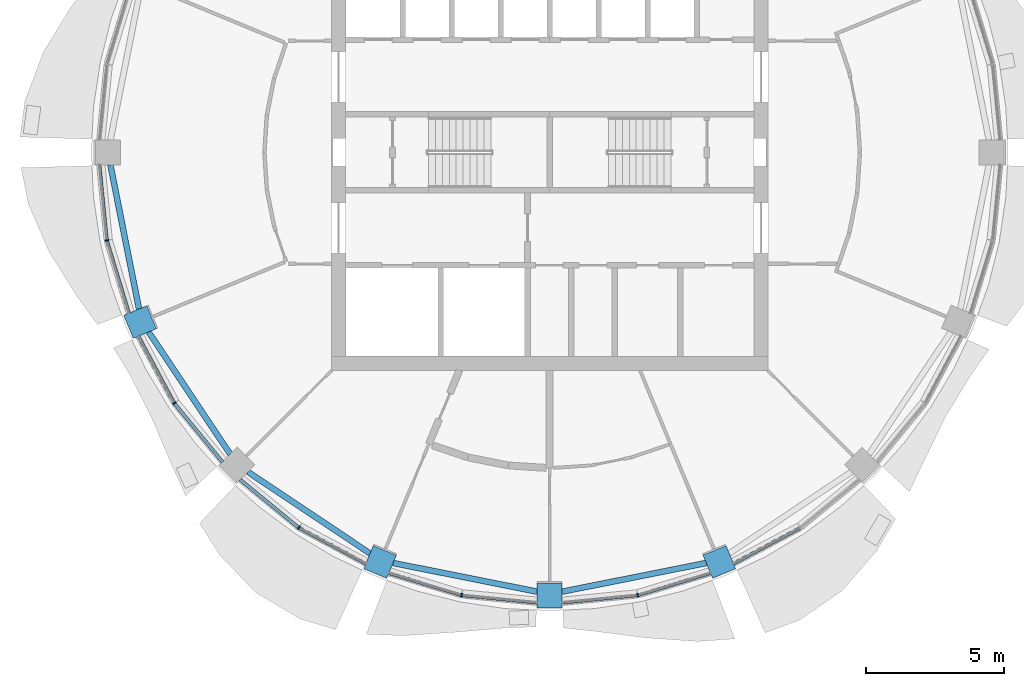
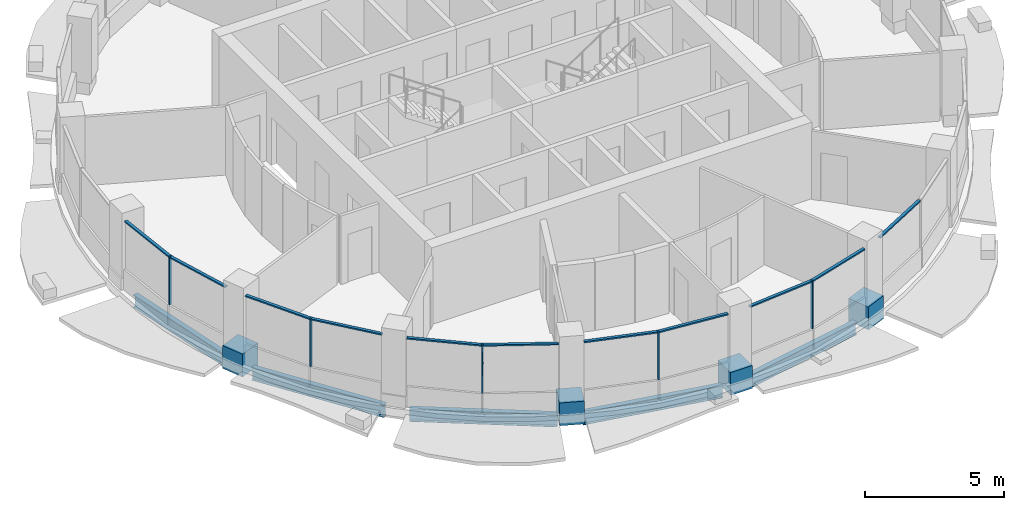
# One storey, part 2 of 15: 20 members, 5 beams, 6 elements without a shape of their own.
"""IFC4 building model written with IfcOpenShell, lengths in metres."""

from ifc_helpers import new_model, si_unit, direction, frame, origin, origin_2d, place, context, subcontext, project, spatial, rectangle, i_section, extrude, material, material_profile, profile_set, type_object, element, aggregate, save


model = new_model("IFC4")

# Units and contexts
model_context = context("Model", 3, precision=1e-05, world=origin(), true_north=direction((0.0, 1.0)))
body_context = subcontext(model_context, "Body", "Model", "MODEL_VIEW")
ifc_project = project(units=[si_unit("LENGTHUNIT", "METRE"), si_unit("AREAUNIT", "SQUARE_METRE"), si_unit("VOLUMEUNIT", "CUBIC_METRE"), si_unit("PLANEANGLEUNIT", "RADIAN"), si_unit("MASSUNIT", "GRAM", prefix="KILO")], contexts=[model_context])

# Site, building, storey
site_placement = place(None, origin())
site = spatial("IfcSite", under=ifc_project, at=site_placement, CompositionType="ELEMENT")
building_placement = place(site_placement, origin())
building = spatial("IfcBuilding", under=site, at=building_placement, Name="Polderwave Tower", CompositionType="ELEMENT")
storey_placement = place(building_placement, frame((0.0, 0.0, 207.75)))
storey = spatial("IfcBuildingStorey", under=building, at=storey_placement, Name="L56", CompositionType="ELEMENT", Elevation=207.75)

# Curtain wall, member
ifc_material_1 = material(Name="Aluminium 6063-T6 and glass", Category="aluminium")
curtain_wall_type = type_object("IfcCurtainWallType", Name="Office ribbon glazing wall", PredefinedType="NOTDEFINED", material=ifc_material_1)
curtain_wall_1_placement = place(storey_placement, origin())
curtain_wall_1 = element("IfcCurtainWall", 1, at=curtain_wall_1_placement, inside=storey, type_object=curtain_wall_type, Name="CW3 L56 08", PredefinedType="NOTDEFINED")
ifc_material_2 = material(Name="Aluminium 6063-T6", Category="aluminium")
ifc_material_profile_1 = material_profile(ifc_material_2, rectangle(XDim=0.139892578125, YDim=0.054931640625, at=origin_2d()), Name="AL 55x140")
ifc_profile_set_1 = profile_set([ifc_material_profile_1], Name="Aluminium 6063-T6")
member_type_1 = type_object("IfcMemberType", Name="Office ribbon glazing mullion 55x140", PredefinedType="MULLION", material=ifc_profile_set_1)
member_1_placement = place(storey_placement, frame((-15.987060546875, -3.179931640625, 0.89990234375), z_axis=(0.0, 0.0, 1.0), x_axis=(0.980756668128, 0.195234110551, 0.0)))
member_1 = element("IfcMember", 2, at=member_1_placement, type_object=member_type_1, Name="CW3 mullion 1", PredefinedType="MULLION", context=body_context, shape_type="SweptSolid", body=[
    extrude(rectangle(XDim=0.139892578125, YDim=0.054931640625, at=origin_2d()), origin(), (0.0, 0.0, 1.0), 2.10009765625),
])

curtain_wall_2_placement = place(storey_placement, origin())
curtain_wall_2 = element("IfcCurtainWall", 3, at=curtain_wall_2_placement, inside=storey, type_object=curtain_wall_type, Name="CW3 L56 09", PredefinedType="NOTDEFINED")
member_2_placement = place(storey_placement, frame((-13.552978515625, -9.055908203125, 0.89990234375), z_axis=(0.0, 0.0, 1.0), x_axis=(0.831455067223, 0.555592000653, 0.0)))
member_2 = element("IfcMember", 4, at=member_2_placement, type_object=member_type_1, Name="CW3 mullion 1", PredefinedType="MULLION", context=body_context, shape_type="SweptSolid", body=[
    extrude(rectangle(XDim=0.139892578125, YDim=0.054931640625, at=origin_2d()), origin(), (0.0, 0.0, 1.0), 2.10009765625),
])

curtain_wall_3_placement = place(storey_placement, origin())
curtain_wall_3 = element("IfcCurtainWall", 5, at=curtain_wall_3_placement, inside=storey, type_object=curtain_wall_type, Name="CW3 L56 10", PredefinedType="NOTDEFINED")
member_3_placement = place(storey_placement, frame((-9.055908203125, -13.552978515625, 0.89990234375), z_axis=(0.0, 0.0, 1.0), x_axis=(0.555592000653, 0.831455067223, 0.0)))
member_3 = element("IfcMember", 6, at=member_3_placement, type_object=member_type_1, Name="CW3 mullion 1", PredefinedType="MULLION", context=body_context, shape_type="SweptSolid", body=[
    extrude(rectangle(XDim=0.139892578125, YDim=0.054931640625, at=origin_2d()), origin(), (0.0, 0.0, 1.0), 2.10009765625),
])

curtain_wall_4_placement = place(storey_placement, origin())
curtain_wall_4 = element("IfcCurtainWall", 7, at=curtain_wall_4_placement, inside=storey, type_object=curtain_wall_type, Name="CW3 L56 11", PredefinedType="NOTDEFINED")
member_4_placement = place(storey_placement, frame((-3.179931640625, -15.987060546875, 0.89990234375), z_axis=(0.0, 0.0, 1.0), x_axis=(0.195234110551, 0.980756668128, 0.0)))
member_4 = element("IfcMember", 8, at=member_4_placement, type_object=member_type_1, Name="CW3 mullion 1", PredefinedType="MULLION", context=body_context, shape_type="SweptSolid", body=[
    extrude(rectangle(XDim=0.139892578125, YDim=0.054931640625, at=origin_2d()), origin(), (0.0, 0.0, 1.0), 2.10009765625),
])

curtain_wall_5_placement = place(storey_placement, origin())
curtain_wall_5 = element("IfcCurtainWall", 9, at=curtain_wall_5_placement, inside=storey, type_object=curtain_wall_type, Name="CW3 L56 12", PredefinedType="NOTDEFINED")
member_5_placement = place(storey_placement, frame((3.179931640625, -15.987060546875, 0.89990234375), z_axis=(0.0, 0.0, 1.0), x_axis=(-0.195234110551, 0.980756668128, 0.0)))
member_5 = element("IfcMember", 10, at=member_5_placement, type_object=member_type_1, Name="CW3 mullion 1", PredefinedType="MULLION", context=body_context, shape_type="SweptSolid", body=[
    extrude(rectangle(XDim=0.139892578125, YDim=0.054931640625, at=origin_2d()), origin(), (0.0, 0.0, 1.0), 2.10009765625),
])

# Member
ifc_material_profile_2 = material_profile(ifc_material_2, rectangle(XDim=0.1201171875, YDim=0.06005859375, at=origin_2d()), Name="AL 60x120")
ifc_profile_set_2 = profile_set([ifc_material_profile_2], Name="Aluminium 6063-T6")
member_type_2 = type_object("IfcMemberType", Name="Office ribbon glazing transom 60x120", PredefinedType="USERDEFINED", material=ifc_profile_set_2)
member_6_placement = place(storey_placement, frame((-16.256103515625, -0.449951171875, 2.969970703125), z_axis=(0.09807947932, -0.995178584846, 0.0), x_axis=(0.995178584846, 0.09807947932, 0.0)))
member_6 = element("IfcMember", 11, at=member_6_placement, type_object=member_type_2, Name="CW3 transom 1", ObjectType="TRANSOM", PredefinedType="USERDEFINED", context=body_context, shape_type="SweptSolid", body=[
    extrude(rectangle(XDim=0.1201171875, YDim=0.06005859375, at=origin_2d()), origin(), (0.0, 0.0, 1.0), 2.7158203125),
])

member_7_placement = place(storey_placement, frame((-15.97900390625, -3.206298828125, 2.969970703125), z_axis=(0.290546276121, -0.956860941533, 0.0), x_axis=(0.956860941533, 0.290546276121, 0.0)))
member_7 = element("IfcMember", 12, at=member_7_placement, type_object=member_type_2, Name="CW3 transom 2", ObjectType="TRANSOM", PredefinedType="USERDEFINED", context=body_context, shape_type="SweptSolid", body=[
    extrude(rectangle(XDim=0.1201171875, YDim=0.06005859375, at=origin_2d()), origin(), (0.0, 0.0, 1.0), 2.7158203125),
])

aggregate(curtain_wall_1, [member_1, member_6, member_7])

member_8_placement = place(storey_placement, frame((-14.845947265625, -6.636962890625, 2.969970703125), z_axis=(0.471395356924, -0.88192200192, 0.0), x_axis=(0.88192200192, 0.471395356924, 0.0)))
member_8 = element("IfcMember", 13, at=member_8_placement, type_object=member_type_2, Name="CW3 transom 1", ObjectType="TRANSOM", PredefinedType="USERDEFINED", context=body_context, shape_type="SweptSolid", body=[
    extrude(rectangle(XDim=0.1201171875, YDim=0.06005859375, at=origin_2d()), origin(), (0.0, 0.0, 1.0), 2.71533203125),
])

member_9_placement = place(storey_placement, frame((-13.53564453125, -9.077392578125, 2.969970703125), z_axis=(0.634470928201, -0.772946726022, 0.0), x_axis=(0.772946726022, 0.634470928201, 0.0)))
member_9 = element("IfcMember", 14, at=member_9_placement, type_object=member_type_2, Name="CW3 transom 2", ObjectType="TRANSOM", PredefinedType="USERDEFINED", context=body_context, shape_type="SweptSolid", body=[
    extrude(rectangle(XDim=0.1201171875, YDim=0.06005859375, at=origin_2d()), origin(), (0.0, 0.0, 1.0), 2.715087890625),
])

aggregate(curtain_wall_2, [member_2, member_8, member_9])

member_10_placement = place(storey_placement, frame((-11.176025390625, -11.81298828125, 2.969970703125), z_axis=(0.772946726022, -0.634470928201, 0.0), x_axis=(0.634470928201, 0.772946726022, 0.0)))
member_10 = element("IfcMember", 15, at=member_10_placement, type_object=member_type_2, Name="CW3 transom 1", ObjectType="TRANSOM", PredefinedType="USERDEFINED", context=body_context, shape_type="SweptSolid", body=[
    extrude(rectangle(XDim=0.1201171875, YDim=0.06005859375, at=origin_2d()), origin(), (0.0, 0.0, 1.0), 2.715087890625),
])

member_11_placement = place(storey_placement, frame((-9.03173828125, -13.56591796875, 2.969970703125), z_axis=(0.88192200192, -0.471395356924, 0.0), x_axis=(0.471395356924, 0.88192200192, 0.0)))
member_11 = element("IfcMember", 16, at=member_11_placement, type_object=member_type_2, Name="CW3 transom 2", ObjectType="TRANSOM", PredefinedType="USERDEFINED", context=body_context, shape_type="SweptSolid", body=[
    extrude(rectangle(XDim=0.1201171875, YDim=0.06005859375, at=origin_2d()), origin(), (0.0, 0.0, 1.0), 2.71533203125),
])

aggregate(curtain_wall_3, [member_3, member_10, member_11])

member_12_placement = place(storey_placement, frame((-5.804931640625, -15.18994140625, 2.969970703125), z_axis=(0.956860941533, -0.290546276121, 0.0), x_axis=(0.290546276121, 0.956860941533, 0.0)))
member_12 = element("IfcMember", 17, at=member_12_placement, type_object=member_type_2, Name="CW3 transom 1", ObjectType="TRANSOM", PredefinedType="USERDEFINED", context=body_context, shape_type="SweptSolid", body=[
    extrude(rectangle(XDim=0.1201171875, YDim=0.06005859375, at=origin_2d()), origin(), (0.0, 0.0, 1.0), 2.7158203125),
])

member_13_placement = place(storey_placement, frame((-3.152587890625, -15.98974609375, 2.969970703125), z_axis=(0.995178584846, -0.09807947932, 0.0), x_axis=(0.09807947932, 0.995178584846, 0.0)))
member_13 = element("IfcMember", 18, at=member_13_placement, type_object=member_type_2, Name="CW3 transom 2", ObjectType="TRANSOM", PredefinedType="USERDEFINED", context=body_context, shape_type="SweptSolid", body=[
    extrude(rectangle(XDim=0.1201171875, YDim=0.06005859375, at=origin_2d()), origin(), (0.0, 0.0, 1.0), 2.7158203125),
])

aggregate(curtain_wall_4, [member_4, member_12, member_13])

member_14_placement = place(storey_placement, frame((0.449951171875, -16.256103515625, 2.969970703125), z_axis=(0.995178584846, 0.09807947932, 0.0), x_axis=(-0.09807947932, 0.995178584846, 0.0)))
member_14 = element("IfcMember", 19, at=member_14_placement, type_object=member_type_2, Name="CW3 transom 1", ObjectType="TRANSOM", PredefinedType="USERDEFINED", context=body_context, shape_type="SweptSolid", body=[
    extrude(rectangle(XDim=0.1201171875, YDim=0.06005859375, at=origin_2d()), origin(), (0.0, 0.0, 1.0), 2.7158203125),
])

member_15_placement = place(storey_placement, frame((3.206298828125, -15.97900390625, 2.969970703125), z_axis=(0.956860941533, 0.290546276121, 0.0), x_axis=(-0.290546276121, 0.956860941533, 0.0)))
member_15 = element("IfcMember", 20, at=member_15_placement, type_object=member_type_2, Name="CW3 transom 2", ObjectType="TRANSOM", PredefinedType="USERDEFINED", context=body_context, shape_type="SweptSolid", body=[
    extrude(rectangle(XDim=0.1201171875, YDim=0.06005859375, at=origin_2d()), origin(), (0.0, 0.0, 1.0), 2.7158203125),
])

aggregate(curtain_wall_5, [member_5, member_14, member_15])

# Curtain wall, member
curtain_wall_6_placement = place(storey_placement, origin())
curtain_wall_6 = element("IfcCurtainWall", 21, at=curtain_wall_6_placement, inside=storey, type_object=curtain_wall_type, Name="CW3 L56 13", PredefinedType="NOTDEFINED")
member_16_placement = place(storey_placement, frame((6.636962890625, -14.845947265625, 2.969970703125), z_axis=(0.88192200192, 0.471395356924, 0.0), x_axis=(-0.471395356924, 0.88192200192, 0.0)))
member_16 = element("IfcMember", 22, at=member_16_placement, type_object=member_type_2, Name="CW3 transom 1", ObjectType="TRANSOM", PredefinedType="USERDEFINED", context=body_context, shape_type="SweptSolid", body=[
    extrude(rectangle(XDim=0.1201171875, YDim=0.06005859375, at=origin_2d()), origin(), (0.0, 0.0, 1.0), 2.71533203125),
])
aggregate(curtain_wall_6, [member_16])

# Members
ifc_material_3 = material(Name="Concrete C60/75", Category="concrete")
ifc_material_profile_3 = material_profile(ifc_material_3, rectangle(XDim=0.89990234375, YDim=0.89990234375, at=origin_2d()), Name="RC 900x900")
ifc_profile_set_3 = profile_set([ifc_material_profile_3], Name="Concrete C60/75")
member_type_3 = type_object("IfcMemberType", Name="RC NODE 900x900 C60/75", PredefinedType="POST", material=ifc_profile_set_3)
for number, where, z_axis, x_axis, name in (
    (23, (-14.78759765625, -6.125244140625, -0.5), (0.0, 0.0, 1.0), (-0.923879532511, -0.382683432365, 0.0), "Ring column node 10"),
    (24, (-6.125244140625, -14.78759765625, -0.5), (0.0, 0.0, 1.0), (-0.382683432365, -0.923879532511, 0.0), "Ring column node 12"),
    (25, (0.0, -16.005859375, -0.5), (0.0, 0.0, 1.0), (0.0, -1.0, 0.0), "Ring column node 13"),
    (26, (6.125244140625, -14.78759765625, -0.5), (0.0, 0.0, 1.0), (0.382683432365, -0.923879532511, 0.0), "Ring column node 14"),
):
    element("IfcMember", number, at=place(storey_placement, frame(where, z_axis=z_axis, x_axis=x_axis)), inside=storey, type_object=member_type_3, Name=name, PredefinedType="POST", context=body_context, shape_type="SweptSolid", body=[
        extrude(rectangle(XDim=0.89990234375, YDim=0.89990234375, at=origin_2d()), origin(), (0.0, 0.0, 1.0), 1.0),
    ])

# Beams
ifc_material_4 = material(Name="Steel S355", Category="steel")
ifc_material_profile_4 = material_profile(ifc_material_4, i_section(OverallWidth=0.2099609375, OverallDepth=0.550048828125, WebThickness=0.010986328125, FlangeThickness=0.01708984375, at=origin_2d()), Name="IPE 550")
ifc_profile_set_4 = profile_set([ifc_material_profile_4], Name="Steel S355")
beam_type = type_object("IfcBeamType", Name="RING BEAM IPE 550", PredefinedType="BEAM", material=ifc_profile_set_4)
for number, where, z_axis, x_axis, name in (
    (27, (-15.860595703125, -0.449951171875, -0.625), (0.195098417144, -0.980783670147, 0.0), (0.980783670147, 0.195098417144, 0.0), "ST-RB-L56-08"),
    (28, (-14.48095703125, -6.4853515625, -0.625), (0.555570615162, -0.831469356963, 0.0), (0.831469356963, 0.555570615162, 0.0), "ST-RB-L56-09"),
    (29, (-10.89697265625, -11.533203125, -0.625), (0.831469356963, -0.555570615162, 0.0), (0.555570615162, 0.831469356963, 0.0), "ST-RB-L56-10"),
    (30, (-5.65380859375, -14.825439453125, -0.625), (0.980783670147, -0.195098417144, 0.0), (0.195098417144, 0.980783670147, 0.0), "ST-RB-L56-11"),
    (31, (0.449951171875, -15.860595703125, -0.625), (0.980783670147, 0.195098417144, 0.0), (-0.195098417144, 0.980783670147, 0.0), "ST-RB-L56-12"),
):
    element("IfcBeam", number, at=place(storey_placement, frame(where, z_axis=z_axis, x_axis=x_axis)), inside=storey, type_object=beam_type, Name=name, PredefinedType="BEAM", context=body_context, shape_type="SweptSolid", body=[
        extrude(i_section(OverallWidth=0.2099609375, OverallDepth=0.550048828125, WebThickness=0.010986328125, FlangeThickness=0.01708984375, at=origin_2d()), origin(), (0.0, 0.0, 1.0), 5.305908203125),
    ])

save(model, "model.ifc")
